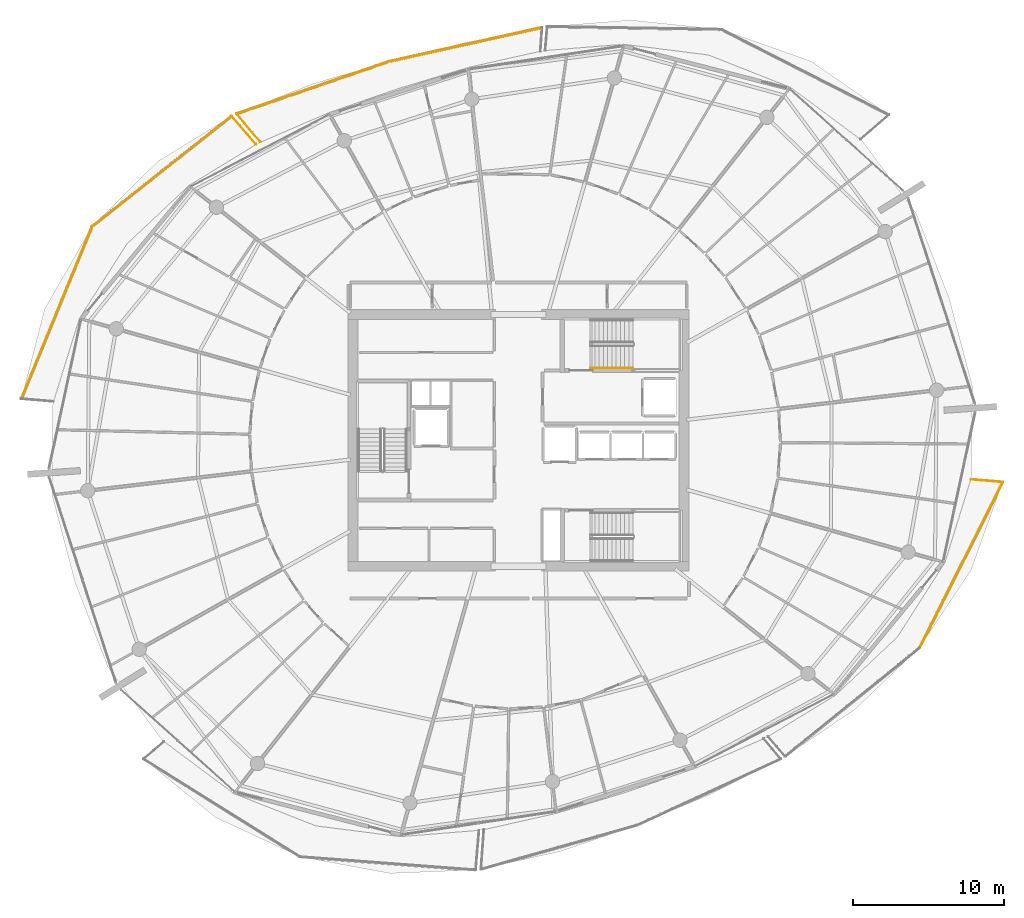
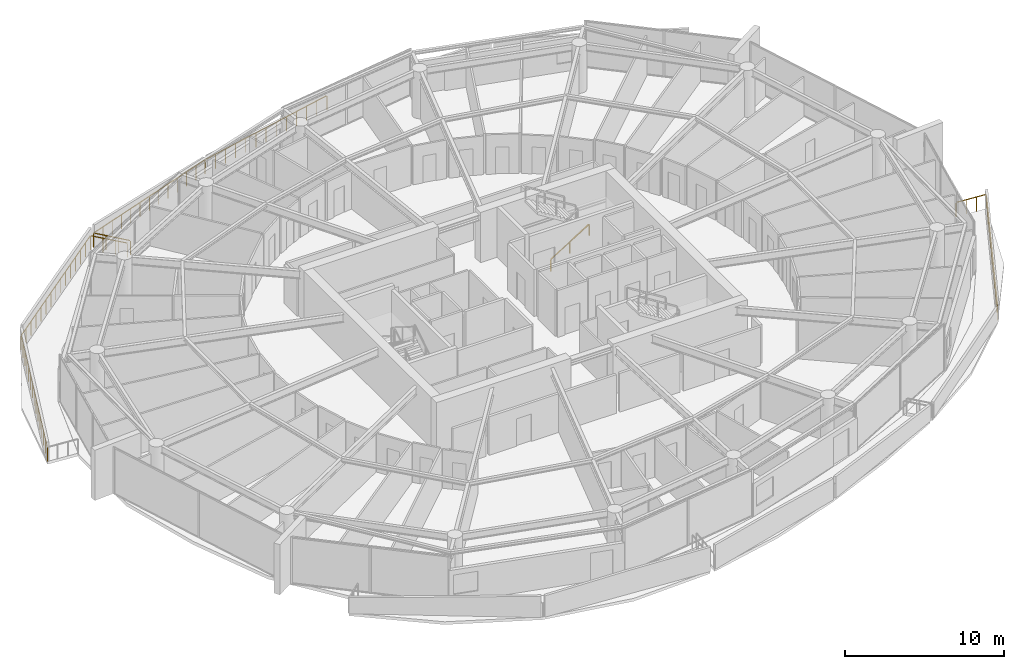
# One storey, part 28 of 30: 9 railings.
"""IFC4 building model written with IfcOpenShell, lengths in metres."""

from ifc_helpers import new_model, si_unit, direction, frame, origin, origin_2d, place, context, subcontext, project, spatial, rectangle, extrude, material, type_object, element, save


model = new_model("IFC4")

# Units and contexts
model_context = context("Model", 3, precision=1e-05, world=origin(), true_north=direction((0.0, 1.0)))
body_context = subcontext(model_context, "Body", "Model", "MODEL_VIEW")
ifc_project = project(units=[si_unit("LENGTHUNIT", "METRE"), si_unit("AREAUNIT", "SQUARE_METRE"), si_unit("VOLUMEUNIT", "CUBIC_METRE"), si_unit("PLANEANGLEUNIT", "RADIAN"), si_unit("MASSUNIT", "GRAM", prefix="KILO")], contexts=[model_context])

# Site, building, storey
site_placement = place(None, origin())
site = spatial("IfcSite", under=ifc_project, at=site_placement, CompositionType="ELEMENT")
building_placement = place(site_placement, origin())
building = spatial("IfcBuilding", under=site, at=building_placement, Name="Kazma Halo Residences", CompositionType="ELEMENT")
storey_placement = place(building_placement, frame((0.0, 0.0, 267.5)))
storey = spatial("IfcBuildingStorey", under=building, at=storey_placement, Name="L67", CompositionType="ELEMENT", Elevation=267.5)

# Railings
ifc_material_1 = material(Name="Aluminium AW-6063 T6 Brushed Cap Rail", Category="aluminium")
railing_type_1 = type_object("IfcRailingType", Name="RLG-BAL-CAP-1120", PredefinedType="BALUSTRADE", material=ifc_material_1)
railing_1_placement = place(storey_placement, frame((49.98291015625, 69.327392578125, 0.0)))
element("IfcRailing", 1, at=railing_1_placement, inside=storey, type_object=railing_type_1, Name="L67 NNW wave balcony guard 2", PredefinedType="BALUSTRADE", context=body_context, shape_type="SweptSolid", body=[
    extrude(rectangle(XDim=0.050048828125, YDim=0.050048828125, at=origin_2d()), frame((-0.04150390625, -0.00927734375, 1.09521484375), z_axis=(-0.976128347195, -0.217194497633, 0.0), x_axis=(0.217194497633, -0.976128347195, 0.0)), (0.0, 0.0, 1.0), 10.292236328125),
    extrude(rectangle(XDim=0.0400390625, YDim=0.0400390625, at=origin_2d()), origin(), (0.0, 0.0, 1.0), 1.05810546875),
    extrude(rectangle(XDim=0.0400390625, YDim=0.0400390625, at=origin_2d()), frame((-0.84423828125, -0.187744140625, 0.0)), (0.0, 0.0, 1.0), 1.05810546875),
    extrude(rectangle(XDim=0.0400390625, YDim=0.0400390625, at=origin_2d()), frame((-1.688232421875, -0.375732421875, 0.0)), (0.0, 0.0, 1.0), 1.05810546875),
    extrude(rectangle(XDim=0.0400390625, YDim=0.0400390625, at=origin_2d()), frame((-2.532470703125, -0.5634765625, 0.0)), (0.0, 0.0, 1.0), 1.05810546875),
    extrude(rectangle(XDim=0.0400390625, YDim=0.0400390625, at=origin_2d()), frame((-3.37646484375, -0.751220703125, 0.0)), (0.0, 0.0, 1.0), 1.05810546875),
    extrude(rectangle(XDim=0.0400390625, YDim=0.0400390625, at=origin_2d()), frame((-4.220703125, -0.939208984375, 0.0)), (0.0, 0.0, 1.0), 1.05810546875),
    extrude(rectangle(XDim=0.0400390625, YDim=0.0400390625, at=origin_2d()), frame((-5.06494140625, -1.126953125, 0.0)), (0.0, 0.0, 1.0), 1.05810546875),
    extrude(rectangle(XDim=0.0400390625, YDim=0.0400390625, at=origin_2d()), frame((-5.908935546875, -1.314697265625, 0.0)), (0.0, 0.0, 1.0), 1.05810546875),
    extrude(rectangle(XDim=0.0400390625, YDim=0.0400390625, at=origin_2d()), frame((-6.753173828125, -1.502685546875, 0.0)), (0.0, 0.0, 1.0), 1.05810546875),
    extrude(rectangle(XDim=0.0400390625, YDim=0.0400390625, at=origin_2d()), frame((-7.59716796875, -1.6904296875, 0.0)), (0.0, 0.0, 1.0), 1.05810546875),
    extrude(rectangle(XDim=0.0400390625, YDim=0.0400390625, at=origin_2d()), frame((-8.44140625, -1.878173828125, 0.0)), (0.0, 0.0, 1.0), 1.05810546875),
    extrude(rectangle(XDim=0.0400390625, YDim=0.0400390625, at=origin_2d()), frame((-9.285400390625, -2.066162109375, 0.0)), (0.0, 0.0, 1.0), 1.05810546875),
    extrude(rectangle(XDim=0.0400390625, YDim=0.0400390625, at=origin_2d()), frame((-10.129638671875, -2.25390625, 0.0)), (0.0, 0.0, 1.0), 1.05810546875),
])
railing_2_placement = place(storey_placement, frame((39.853271484375, 67.073486328125, 0.0)))
element("IfcRailing", 2, at=railing_2_placement, inside=storey, type_object=railing_type_1, Name="L67 NNW wave balcony guard 3", PredefinedType="BALUSTRADE", context=body_context, shape_type="SweptSolid", body=[
    extrude(rectangle(XDim=0.050048828125, YDim=0.050048828125, at=origin_2d()), frame((-0.040283203125, -0.013671875, 1.09521484375), z_axis=(-0.945989483895, -0.324197310845, 0.0), x_axis=(0.324197310845, -0.945989483895, 0.0)), (0.0, 0.0, 1.0), 10.5791015625),
    extrude(rectangle(XDim=0.0400390625, YDim=0.0400390625, at=origin_2d()), origin(), (0.0, 0.0, 1.0), 1.05810546875),
    extrude(rectangle(XDim=0.0400390625, YDim=0.0400390625, at=origin_2d()), frame((-0.840576171875, -0.2880859375, 0.0)), (0.0, 0.0, 1.0), 1.05810546875),
    extrude(rectangle(XDim=0.0400390625, YDim=0.0400390625, at=origin_2d()), frame((-1.681396484375, -0.576171875, 0.0)), (0.0, 0.0, 1.0), 1.05810546875),
    extrude(rectangle(XDim=0.0400390625, YDim=0.0400390625, at=origin_2d()), frame((-2.52197265625, -0.8642578125, 0.0)), (0.0, 0.0, 1.0), 1.05810546875),
    extrude(rectangle(XDim=0.0400390625, YDim=0.0400390625, at=origin_2d()), frame((-3.36279296875, -1.15234375, 0.0)), (0.0, 0.0, 1.0), 1.05810546875),
    extrude(rectangle(XDim=0.0400390625, YDim=0.0400390625, at=origin_2d()), frame((-4.203369140625, -1.4404296875, 0.0)), (0.0, 0.0, 1.0), 1.05810546875),
    extrude(rectangle(XDim=0.0400390625, YDim=0.0400390625, at=origin_2d()), frame((-5.0439453125, -1.728515625, 0.0)), (0.0, 0.0, 1.0), 1.05810546875),
    extrude(rectangle(XDim=0.0400390625, YDim=0.0400390625, at=origin_2d()), frame((-5.884765625, -2.016845703125, 0.0)), (0.0, 0.0, 1.0), 1.05810546875),
    extrude(rectangle(XDim=0.0400390625, YDim=0.0400390625, at=origin_2d()), frame((-6.725341796875, -2.304931640625, 0.0)), (0.0, 0.0, 1.0), 1.05810546875),
    extrude(rectangle(XDim=0.0400390625, YDim=0.0400390625, at=origin_2d()), frame((-7.566162109375, -2.593017578125, 0.0)), (0.0, 0.0, 1.0), 1.05810546875),
    extrude(rectangle(XDim=0.0400390625, YDim=0.0400390625, at=origin_2d()), frame((-8.40673828125, -2.881103515625, 0.0)), (0.0, 0.0, 1.0), 1.05810546875),
    extrude(rectangle(XDim=0.0400390625, YDim=0.0400390625, at=origin_2d()), frame((-9.24755859375, -3.169189453125, 0.0)), (0.0, 0.0, 1.0), 1.05810546875),
    extrude(rectangle(XDim=0.0400390625, YDim=0.0400390625, at=origin_2d()), frame((-10.088134765625, -3.457275390625, 0.0)), (0.0, 0.0, 1.0), 1.05810546875),
])
railing_3_placement = place(storey_placement, frame((29.76513671875, 63.6162109375, 0.0)))
element("IfcRailing", 3, at=railing_3_placement, inside=storey, type_object=railing_type_1, Name="L67 NNW wave balcony guard 4", PredefinedType="BALUSTRADE", context=body_context, shape_type="SweptSolid", body=[
    extrude(rectangle(XDim=0.050048828125, YDim=0.050048828125, at=origin_2d()), frame((0.02734375, -0.032470703125, 1.09521484375), z_axis=(0.644836604623, -0.764320451995, 0.0), x_axis=(0.764320451995, 0.644836604623, 0.0)), (0.0, 0.0, 1.0), 2.381103515625),
    extrude(rectangle(XDim=0.0400390625, YDim=0.0400390625, at=origin_2d()), origin(), (0.0, 0.0, 1.0), 1.05810546875),
    extrude(rectangle(XDim=0.0400390625, YDim=0.0400390625, at=origin_2d()), frame((0.530029296875, -0.62841796875, 0.0)), (0.0, 0.0, 1.0), 1.05810546875),
    extrude(rectangle(XDim=0.0400390625, YDim=0.0400390625, at=origin_2d()), frame((1.060302734375, -1.256591796875, 0.0)), (0.0, 0.0, 1.0), 1.05810546875),
    extrude(rectangle(XDim=0.0400390625, YDim=0.0400390625, at=origin_2d()), frame((1.59033203125, -1.885009765625, 0.0)), (0.0, 0.0, 1.0), 1.05810546875),
])
railing_4_placement = place(storey_placement, frame((31.06787109375, 61.58154296875, 0.0)))
element("IfcRailing", 4, at=railing_4_placement, inside=storey, type_object=railing_type_1, Name="L67 NW wave balcony guard 1", PredefinedType="BALUSTRADE", context=body_context, shape_type="SweptSolid", body=[
    extrude(rectangle(XDim=0.050048828125, YDim=0.050048828125, at=origin_2d()), frame((-0.02783203125, 0.0322265625, 1.09521484375), z_axis=(-0.65405468869, 0.756447264654, 0.0), x_axis=(-0.756447264654, -0.65405468869, 0.0)), (0.0, 0.0, 1.0), 2.3994140625),
    extrude(rectangle(XDim=0.0400390625, YDim=0.0400390625, at=origin_2d()), origin(), (0.0, 0.0, 1.0), 1.05810546875),
    extrude(rectangle(XDim=0.0400390625, YDim=0.0400390625, at=origin_2d()), frame((-0.541748046875, 0.62646484375, 0.0)), (0.0, 0.0, 1.0), 1.05810546875),
    extrude(rectangle(XDim=0.0400390625, YDim=0.0400390625, at=origin_2d()), frame((-1.083251953125, 1.2529296875, 0.0)), (0.0, 0.0, 1.0), 1.05810546875),
    extrude(rectangle(XDim=0.0400390625, YDim=0.0400390625, at=origin_2d()), frame((-1.625, 1.87939453125, 0.0)), (0.0, 0.0, 1.0), 1.05810546875),
])
railing_5_placement = place(storey_placement, frame((29.44287109375, 63.4609375, 0.0)))
element("IfcRailing", 5, at=railing_5_placement, inside=storey, type_object=railing_type_1, Name="L67 NW wave balcony guard 2", PredefinedType="BALUSTRADE", context=body_context, shape_type="SweptSolid", body=[
    extrude(rectangle(XDim=0.050048828125, YDim=0.050048828125, at=origin_2d()), frame((-0.033447265625, -0.0263671875, 1.09521484375), z_axis=(-0.784537591948, -0.62008125824, 0.0), x_axis=(0.62008125824, -0.784537591948, 0.0)), (0.0, 0.0, 1.0), 11.687255859375),
    extrude(rectangle(XDim=0.0400390625, YDim=0.0400390625, at=origin_2d()), origin(), (0.0, 0.0, 1.0), 1.05810546875),
    extrude(rectangle(XDim=0.0400390625, YDim=0.0400390625, at=origin_2d()), frame((-0.65966796875, -0.521484375, 0.0)), (0.0, 0.0, 1.0), 1.05810546875),
    extrude(rectangle(XDim=0.0400390625, YDim=0.0400390625, at=origin_2d()), frame((-1.3193359375, -1.042724609375, 0.0)), (0.0, 0.0, 1.0), 1.05810546875),
    extrude(rectangle(XDim=0.0400390625, YDim=0.0400390625, at=origin_2d()), frame((-1.97900390625, -1.564208984375, 0.0)), (0.0, 0.0, 1.0), 1.05810546875),
    extrude(rectangle(XDim=0.0400390625, YDim=0.0400390625, at=origin_2d()), frame((-2.638916015625, -2.085693359375, 0.0)), (0.0, 0.0, 1.0), 1.05810546875),
    extrude(rectangle(XDim=0.0400390625, YDim=0.0400390625, at=origin_2d()), frame((-3.298583984375, -2.607177734375, 0.0)), (0.0, 0.0, 1.0), 1.05810546875),
    extrude(rectangle(XDim=0.0400390625, YDim=0.0400390625, at=origin_2d()), frame((-3.958251953125, -3.12841796875, 0.0)), (0.0, 0.0, 1.0), 1.05810546875),
    extrude(rectangle(XDim=0.0400390625, YDim=0.0400390625, at=origin_2d()), frame((-4.617919921875, -3.64990234375, 0.0)), (0.0, 0.0, 1.0), 1.05810546875),
    extrude(rectangle(XDim=0.0400390625, YDim=0.0400390625, at=origin_2d()), frame((-5.277587890625, -4.17138671875, 0.0)), (0.0, 0.0, 1.0), 1.05810546875),
    extrude(rectangle(XDim=0.0400390625, YDim=0.0400390625, at=origin_2d()), frame((-5.937255859375, -4.692626953125, 0.0)), (0.0, 0.0, 1.0), 1.05810546875),
    extrude(rectangle(XDim=0.0400390625, YDim=0.0400390625, at=origin_2d()), frame((-6.596923828125, -5.214111328125, 0.0)), (0.0, 0.0, 1.0), 1.05810546875),
    extrude(rectangle(XDim=0.0400390625, YDim=0.0400390625, at=origin_2d()), frame((-7.2568359375, -5.735595703125, 0.0)), (0.0, 0.0, 1.0), 1.05810546875),
    extrude(rectangle(XDim=0.0400390625, YDim=0.0400390625, at=origin_2d()), frame((-7.91650390625, -6.257080078125, 0.0)), (0.0, 0.0, 1.0), 1.05810546875),
    extrude(rectangle(XDim=0.0400390625, YDim=0.0400390625, at=origin_2d()), frame((-8.576171875, -6.7783203125, 0.0)), (0.0, 0.0, 1.0), 1.05810546875),
    extrude(rectangle(XDim=0.0400390625, YDim=0.0400390625, at=origin_2d()), frame((-9.23583984375, -7.2998046875, 0.0)), (0.0, 0.0, 1.0), 1.05810546875),
])
railing_6_placement = place(storey_placement, frame((20.20703125, 56.1611328125, 0.0)))
element("IfcRailing", 6, at=railing_6_placement, inside=storey, type_object=railing_type_1, Name="L67 NW wave balcony guard 3", PredefinedType="BALUSTRADE", context=body_context, shape_type="SweptSolid", body=[
    extrude(rectangle(XDim=0.050048828125, YDim=0.050048828125, at=origin_2d()), frame((-0.01611328125, -0.039306640625, 1.09521484375), z_axis=(-0.379601121208, -0.925150252001, 0.0), x_axis=(0.925150252001, -0.379601121208, 0.0)), (0.0, 0.0, 1.0), 12.243408203125),
    extrude(rectangle(XDim=0.0400390625, YDim=0.0400390625, at=origin_2d()), origin(), (0.0, 0.0, 1.0), 1.05810546875),
    extrude(rectangle(XDim=0.0400390625, YDim=0.0400390625, at=origin_2d()), frame((-0.334228515625, -0.814697265625, 0.0)), (0.0, 0.0, 1.0), 1.05810546875),
    extrude(rectangle(XDim=0.0400390625, YDim=0.0400390625, at=origin_2d()), frame((-0.66845703125, -1.62939453125, 0.0)), (0.0, 0.0, 1.0), 1.05810546875),
    extrude(rectangle(XDim=0.0400390625, YDim=0.0400390625, at=origin_2d()), frame((-1.0029296875, -2.444091796875, 0.0)), (0.0, 0.0, 1.0), 1.05810546875),
    extrude(rectangle(XDim=0.0400390625, YDim=0.0400390625, at=origin_2d()), frame((-1.337158203125, -3.2587890625, 0.0)), (0.0, 0.0, 1.0), 1.05810546875),
    extrude(rectangle(XDim=0.0400390625, YDim=0.0400390625, at=origin_2d()), frame((-1.67138671875, -4.073486328125, 0.0)), (0.0, 0.0, 1.0), 1.05810546875),
    extrude(rectangle(XDim=0.0400390625, YDim=0.0400390625, at=origin_2d()), frame((-2.005615234375, -4.88818359375, 0.0)), (0.0, 0.0, 1.0), 1.05810546875),
    extrude(rectangle(XDim=0.0400390625, YDim=0.0400390625, at=origin_2d()), frame((-2.33984375, -5.702880859375, 0.0)), (0.0, 0.0, 1.0), 1.05810546875),
    extrude(rectangle(XDim=0.0400390625, YDim=0.0400390625, at=origin_2d()), frame((-2.67431640625, -6.517578125, 0.0)), (0.0, 0.0, 1.0), 1.05810546875),
    extrude(rectangle(XDim=0.0400390625, YDim=0.0400390625, at=origin_2d()), frame((-3.008544921875, -7.332275390625, 0.0)), (0.0, 0.0, 1.0), 1.05810546875),
    extrude(rectangle(XDim=0.0400390625, YDim=0.0400390625, at=origin_2d()), frame((-3.3427734375, -8.14697265625, 0.0)), (0.0, 0.0, 1.0), 1.05810546875),
    extrude(rectangle(XDim=0.0400390625, YDim=0.0400390625, at=origin_2d()), frame((-3.677001953125, -8.961669921875, 0.0)), (0.0, 0.0, 1.0), 1.05810546875),
    extrude(rectangle(XDim=0.0400390625, YDim=0.0400390625, at=origin_2d()), frame((-4.011474609375, -9.7763671875, 0.0)), (0.0, 0.0, 1.0), 1.05810546875),
    extrude(rectangle(XDim=0.0400390625, YDim=0.0400390625, at=origin_2d()), frame((-4.345703125, -10.591064453125, 0.0)), (0.0, 0.0, 1.0), 1.05810546875),
    extrude(rectangle(XDim=0.0400390625, YDim=0.0400390625, at=origin_2d()), frame((-4.679931640625, -11.40576171875, 0.0)), (0.0, 0.0, 1.0), 1.05810546875),
])
railing_7_placement = place(storey_placement, frame((74.936767578125, 28.27490234375, 0.0)))
element("IfcRailing", 7, at=railing_7_placement, inside=storey, type_object=railing_type_1, Name="L67 SE wave balcony guard 3", PredefinedType="BALUSTRADE", context=body_context, shape_type="SweptSolid", body=[
    extrude(rectangle(XDim=0.050048828125, YDim=0.050048828125, at=origin_2d()), frame((0.01904296875, 0.0380859375, 1.09521484375), z_axis=(0.449279975195, 0.893391013996, 0.0), x_axis=(-0.893391013996, 0.449279975195, 0.0)), (0.0, 0.0, 1.0), 12.1953125),
    extrude(rectangle(XDim=0.0400390625, YDim=0.0400390625, at=origin_2d()), origin(), (0.0, 0.0, 1.0), 1.05810546875),
    extrude(rectangle(XDim=0.0400390625, YDim=0.0400390625, at=origin_2d()), frame((0.39404296875, 0.78369140625, 0.0)), (0.0, 0.0, 1.0), 1.05810546875),
    extrude(rectangle(XDim=0.0400390625, YDim=0.0400390625, at=origin_2d()), frame((0.7880859375, 1.5673828125, 0.0)), (0.0, 0.0, 1.0), 1.05810546875),
    extrude(rectangle(XDim=0.0400390625, YDim=0.0400390625, at=origin_2d()), frame((1.182373046875, 2.35107421875, 0.0)), (0.0, 0.0, 1.0), 1.05810546875),
    extrude(rectangle(XDim=0.0400390625, YDim=0.0400390625, at=origin_2d()), frame((1.576416015625, 3.134521484375, 0.0)), (0.0, 0.0, 1.0), 1.05810546875),
    extrude(rectangle(XDim=0.0400390625, YDim=0.0400390625, at=origin_2d()), frame((1.970458984375, 3.918212890625, 0.0)), (0.0, 0.0, 1.0), 1.05810546875),
    extrude(rectangle(XDim=0.0400390625, YDim=0.0400390625, at=origin_2d()), frame((2.364501953125, 4.701904296875, 0.0)), (0.0, 0.0, 1.0), 1.05810546875),
    extrude(rectangle(XDim=0.0400390625, YDim=0.0400390625, at=origin_2d()), frame((2.7587890625, 5.485595703125, 0.0)), (0.0, 0.0, 1.0), 1.05810546875),
    extrude(rectangle(XDim=0.0400390625, YDim=0.0400390625, at=origin_2d()), frame((3.15283203125, 6.269287109375, 0.0)), (0.0, 0.0, 1.0), 1.05810546875),
    extrude(rectangle(XDim=0.0400390625, YDim=0.0400390625, at=origin_2d()), frame((3.546875, 7.052978515625, 0.0)), (0.0, 0.0, 1.0), 1.05810546875),
    extrude(rectangle(XDim=0.0400390625, YDim=0.0400390625, at=origin_2d()), frame((3.94091796875, 7.836669921875, 0.0)), (0.0, 0.0, 1.0), 1.05810546875),
    extrude(rectangle(XDim=0.0400390625, YDim=0.0400390625, at=origin_2d()), frame((4.3349609375, 8.6201171875, 0.0)), (0.0, 0.0, 1.0), 1.05810546875),
    extrude(rectangle(XDim=0.0400390625, YDim=0.0400390625, at=origin_2d()), frame((4.729248046875, 9.40380859375, 0.0)), (0.0, 0.0, 1.0), 1.05810546875),
    extrude(rectangle(XDim=0.0400390625, YDim=0.0400390625, at=origin_2d()), frame((5.123291015625, 10.1875, 0.0)), (0.0, 0.0, 1.0), 1.05810546875),
    extrude(rectangle(XDim=0.0400390625, YDim=0.0400390625, at=origin_2d()), frame((5.517333984375, 10.97119140625, 0.0)), (0.0, 0.0, 1.0), 1.05810546875),
])
railing_8_placement = place(storey_placement, frame((80.4541015625, 39.24609375, 0.0)))
element("IfcRailing", 8, at=railing_8_placement, inside=storey, type_object=railing_type_1, Name="L67 SE wave balcony guard 4", PredefinedType="BALUSTRADE", context=body_context, shape_type="SweptSolid", body=[
    extrude(rectangle(XDim=0.050048828125, YDim=0.050048828125, at=origin_2d()), frame((-0.04248046875, 0.003662109375, 1.09521484375), z_axis=(-0.996412127571, 0.084633752307, 0.0), x_axis=(-0.084633752307, -0.996412127571, 0.0)), (0.0, 0.0, 1.0), 2.026611328125),
    extrude(rectangle(XDim=0.0400390625, YDim=0.0400390625, at=origin_2d()), origin(), (0.0, 0.0, 1.0), 1.05810546875),
    extrude(rectangle(XDim=0.0400390625, YDim=0.0400390625, at=origin_2d()), frame((-0.701416015625, 0.0595703125, 0.0)), (0.0, 0.0, 1.0), 1.05810546875),
    extrude(rectangle(XDim=0.0400390625, YDim=0.0400390625, at=origin_2d()), frame((-1.402587890625, 0.119140625, 0.0)), (0.0, 0.0, 1.0), 1.05810546875),
    extrude(rectangle(XDim=0.0400390625, YDim=0.0400390625, at=origin_2d()), frame((-2.10400390625, 0.1787109375, 0.0)), (0.0, 0.0, 1.0), 1.05810546875),
])
ifc_material_2 = material(Name="Brushed Stainless Steel", Category="steel")
railing_type_2 = type_object("IfcRailingType", Name="RLG-STAIR-HND-900", PredefinedType="HANDRAIL", material=ifc_material_2)
railing_9_placement = place(storey_placement, frame((53.199951171875, 46.800048828125, 0.175048828125)))
element("IfcRailing", 9, at=railing_9_placement, inside=storey, type_object=railing_type_2, Name="L67 ST-02 stair handrail 1", PredefinedType="HANDRAIL", context=body_context, shape_type="SweptSolid", body=[
    extrude(rectangle(XDim=0.050048828125, YDim=0.050048828125, at=origin_2d()), frame((0.0361328125, 0.0, 0.8974609375), z_axis=(0.848002457836, 0.0, 0.529992293815), x_axis=(0.0, 1.0, 0.0)), (0.0, 0.0, 1.0), 3.216796875),
    extrude(rectangle(XDim=0.0400390625, YDim=0.0400390625, at=origin_2d()), origin(), (0.0, 0.0, 1.0), 0.837890625),
    extrude(rectangle(XDim=0.0400390625, YDim=0.0400390625, at=origin_2d()), frame((1.39990234375, 0.0, 0.875)), (0.0, 0.0, 1.0), 0.837890625),
    extrude(rectangle(XDim=0.0400390625, YDim=0.0400390625, at=origin_2d()), frame((2.800048828125, 0.0, 1.75)), (0.0, 0.0, 1.0), 0.837890625),
])

save(model, "model.ifc")
